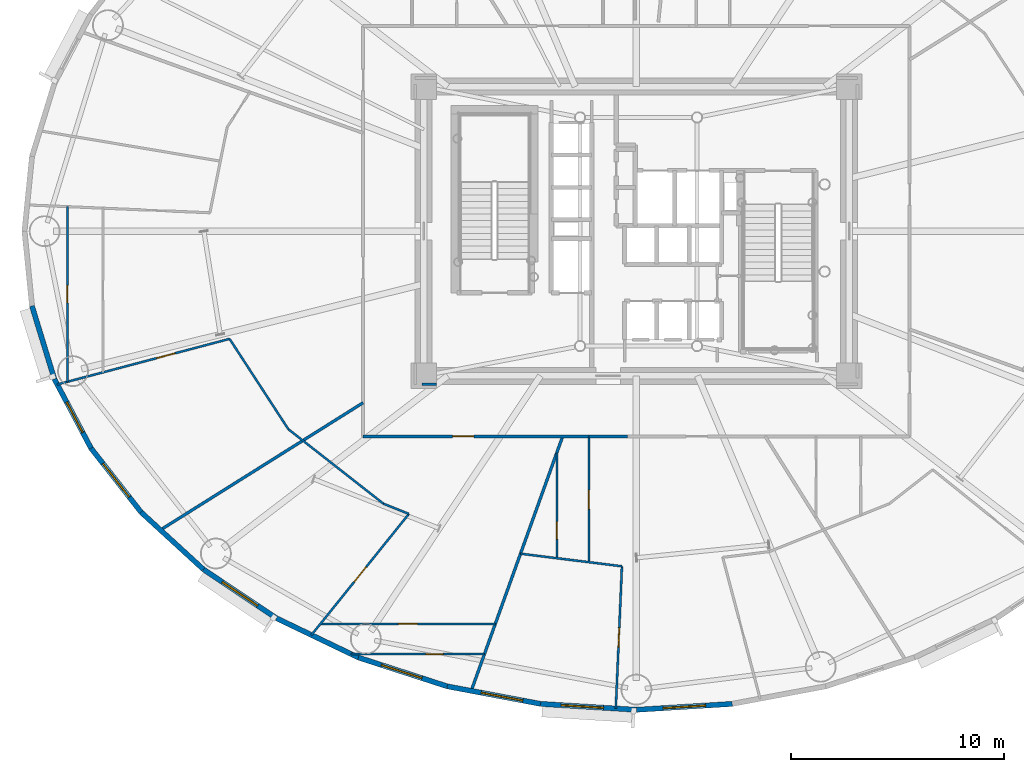
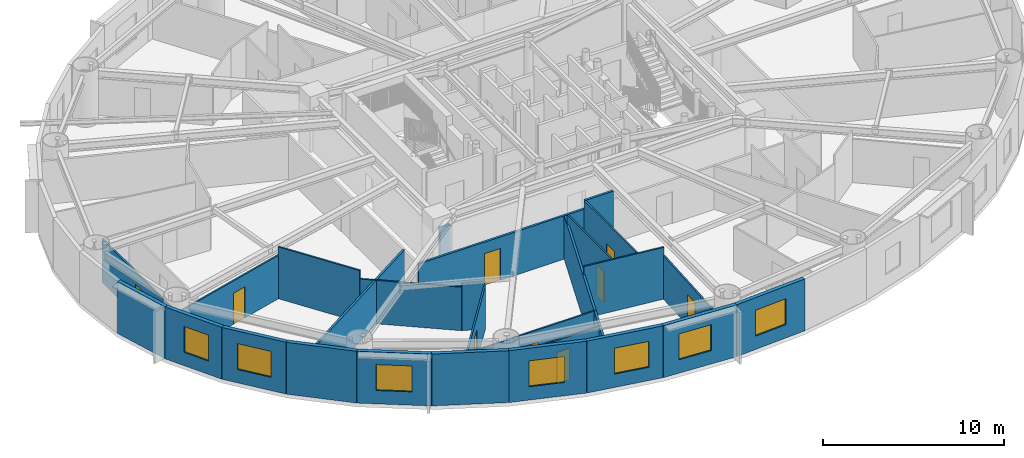
# One storey, part 10 of 21: 27 walls, 9 doors, 7 windows, 16 openings.
"""IFC4 building model written with IfcOpenShell, lengths in metres."""

from ifc_helpers import new_model, si_unit, direction, frame, frame_2d, origin, origin_2d, place, context, subcontext, project, spatial, rectangle, extrude, source, transform, mapped, material, layer, layer_set, type_object, element, fill, save


model = new_model("IFC4")

# Units and contexts
model_context = context("Model", 3, precision=1e-05, world=origin(), true_north=direction((0.0, 1.0)))
body_context = subcontext(model_context, "Body", "Model", "MODEL_VIEW")
ifc_project = project(units=[si_unit("LENGTHUNIT", "METRE"), si_unit("AREAUNIT", "SQUARE_METRE"), si_unit("VOLUMEUNIT", "CUBIC_METRE"), si_unit("PLANEANGLEUNIT", "RADIAN"), si_unit("MASSUNIT", "GRAM", prefix="KILO")], contexts=[model_context])

# Site, building, storey
site_placement = place(None, origin())
site = spatial("IfcSite", under=ifc_project, at=site_placement, CompositionType="ELEMENT")
building_placement = place(site_placement, origin())
building = spatial("IfcBuilding", under=site, at=building_placement, Name="Linh Dai School and Residence Tower", CompositionType="ELEMENT")
storey_placement = place(building_placement, frame((0.0, 0.0, 115.949951171875)))
storey = spatial("IfcBuildingStorey", under=building, at=storey_placement, Name="L27", CompositionType="ELEMENT", Elevation=115.949951171875)

# Wall
ifc_material_1 = material(Name="Precast Concrete B45 (C35/45)", Category="concrete")
ifc_layer_1 = layer(ifc_material_1, 0.239990234375)
ifc_layer_set_1 = layer_set([ifc_layer_1], Name="Precast Concrete B45 (C35/45)")
wall_type_1 = type_object("IfcWallType", Name="EW-TC-240", PredefinedType="SOLIDWALL", material=ifc_layer_set_1)
wall_1_placement = place(storey_placement, frame((8.6298828125, 20.054931640625, 0.0), z_axis=(0.0, 0.0, 1.0), x_axis=(-0.293124431344, 0.956074300329, 0.0)))
element("IfcWall", 1, at=wall_1_placement, inside=storey, type_object=wall_type_1, Name="L27 Terracotta Exterior Wall 22", PredefinedType="SOLIDWALL", context=body_context, shape_type="SweptSolid", body=[
    extrude(rectangle(XDim=3.587158203125, YDim=0.239990234375, at=frame_2d((1.79345703125, 0.0))), origin(), (0.0, 0.0, 1.0), 3.5),
])

# Wall, opening, window
wall_2_placement = place(storey_placement, frame((10.354736328125, 16.79443359375, 0.0), z_axis=(0.0, 0.0, 1.0), x_axis=(-0.467614004126, 0.883932770716, 0.0)))
wall_2 = element("IfcWall", 2, at=wall_2_placement, inside=storey, type_object=wall_type_1, Name="L27 Terracotta Exterior Wall 23", PredefinedType="SOLIDWALL", context=body_context, shape_type="SweptSolid", body=[
    extrude(rectangle(XDim=3.688720703125, YDim=0.239990234375, at=frame_2d((1.84423828125, 0.0))), origin(), (0.0, 0.0, 1.0), 3.5),
])
opening_1_placement = place(wall_2_placement, frame((0.845947265625, 0.0, 0.89990234375)))
opening_1 = element("IfcOpeningElement", 3, at=opening_1_placement, cuts=wall_2, Name="Opening W2", PredefinedType="OPENING", context=body_context, shape_type="SweptSolid", body=[
    extrude(rectangle(XDim=1.60009765625, YDim=1.75, at=origin_2d()), frame((0.800048828125, 0.1298828125, 0.875), z_axis=(0.0, -1.0, 0.0), x_axis=(1.0, 0.0, 0.0)), (0.0, 0.0, 1.0), 0.260009765625),
])
ifc_material_2 = material(Name="Double Low-E Insulated Glazing", Category="glass")
window_type_1 = type_object("IfcWindowType", Name="WN-RES-1600x1750", PartitioningType="DOUBLE_PANEL_VERTICAL", PredefinedType="WINDOW", material=ifc_material_2)
shared_shape_1 = source(origin(), body_context, "Body", "SweptSolid", [
    extrude(rectangle(XDim=1.60009765625, YDim=1.75, at=origin_2d()), frame((0.800048828125, 0.030029296875, 0.875), z_axis=(0.0, -1.0, 0.0), x_axis=(1.0, 0.0, 0.0)), (0.0, 0.0, 1.0), 0.06005859375),
])
window_1_placement = place(opening_1_placement, origin())
window_1 = element("IfcWindow", 4, at=window_1_placement, inside=storey, type_object=window_type_1, Name="L27 Exterior Window 23.1", OverallHeight=1.75, OverallWidth=1.60009765625, PartitioningType="DOUBLE_PANEL_VERTICAL", PredefinedType="WINDOW", context=body_context, shape_type="MappedRepresentation", body=[
    mapped(shared_shape_1, transform((0.0, 0.0, 0.0), x_axis=(1.0, 0.0, 0.0), y_axis=(0.0, 1.0, 0.0), z_axis=(0.0, 0.0, 1.0), scale=1.0)),
])
fill(opening_1, window_1)

wall_3_placement = place(storey_placement, frame((12.7109375, 13.783447265625, 0.0), z_axis=(0.0, 0.0, 1.0), x_axis=(-0.616272103517, 0.787533297345, 0.0)))
wall_3 = element("IfcWall", 5, at=wall_3_placement, inside=storey, type_object=wall_type_1, Name="L27 Terracotta Exterior Wall 24", PredefinedType="SOLIDWALL", context=body_context, shape_type="SweptSolid", body=[
    extrude(rectangle(XDim=3.8232421875, YDim=0.239990234375, at=frame_2d((1.91162109375, 0.0))), origin(), (0.0, 0.0, 1.0), 3.5),
])
opening_2_placement = place(wall_3_placement, frame((0.91162109375, 0.0, 0.89990234375)))
opening_2 = element("IfcOpeningElement", 6, at=opening_2_placement, cuts=wall_3, Name="Opening W1", PredefinedType="OPENING", context=body_context, shape_type="SweptSolid", body=[
    extrude(rectangle(XDim=2.0, YDim=1.75, at=origin_2d()), frame((1.0, 0.1298828125, 0.875), z_axis=(0.0, -1.0, 0.0), x_axis=(1.0, 0.0, 0.0)), (0.0, 0.0, 1.0), 0.260009765625),
])
window_type_2 = type_object("IfcWindowType", Name="WN-RES-2000x1750", PartitioningType="DOUBLE_PANEL_VERTICAL", PredefinedType="WINDOW", material=ifc_material_2)
shared_shape_2 = source(origin(), body_context, "Body", "SweptSolid", [
    extrude(rectangle(XDim=2.0, YDim=1.75, at=origin_2d()), frame((1.0, 0.030029296875, 0.875), z_axis=(0.0, -1.0, 0.0), x_axis=(1.0, 0.0, 0.0)), (0.0, 0.0, 1.0), 0.06005859375),
])
window_2_placement = place(opening_2_placement, origin())
window_2 = element("IfcWindow", 7, at=window_2_placement, inside=storey, type_object=window_type_2, Name="L27 Exterior Window 24.1", OverallHeight=1.75, OverallWidth=2.0, PartitioningType="DOUBLE_PANEL_VERTICAL", PredefinedType="WINDOW", context=body_context, shape_type="MappedRepresentation", body=[
    mapped(shared_shape_2, transform((0.0, 0.0, 0.0), x_axis=(1.0, 0.0, 0.0), y_axis=(0.0, 1.0, 0.0), z_axis=(0.0, 0.0, 1.0), scale=1.0)),
])
fill(opening_2, window_2)

# Wall
wall_4_placement = place(storey_placement, frame((15.6416015625, 11.0966796875, 0.0), z_axis=(0.0, 0.0, 1.0), x_axis=(-0.737113356241, 0.675769117414, 0.0)))
element("IfcWall", 8, at=wall_4_placement, inside=storey, type_object=wall_type_1, Name="L27 Terracotta Exterior Wall 25", PredefinedType="SOLIDWALL", context=body_context, shape_type="SweptSolid", body=[
    extrude(rectangle(XDim=3.975830078125, YDim=0.239990234375, at=frame_2d((1.98779296875, 0.0))), origin(), (0.0, 0.0, 1.0), 3.5),
])

# Wall, opening, window
wall_5_placement = place(storey_placement, frame((19.07470703125, 8.800537109375, 0.0), z_axis=(0.0, 0.0, 1.0), x_axis=(-0.831221811447, 0.555940914284, 0.0)))
wall_5 = element("IfcWall", 9, at=wall_5_placement, inside=storey, type_object=wall_type_1, Name="L27 Terracotta Exterior Wall 26", PredefinedType="SOLIDWALL", context=body_context, shape_type="SweptSolid", body=[
    extrude(rectangle(XDim=4.130126953125, YDim=0.239990234375, at=frame_2d((2.06494140625, 0.0))), origin(), (0.0, 0.0, 1.0), 3.5),
])
opening_3_placement = place(wall_5_placement, frame((1.06494140625, 0.0, 0.89990234375)))
opening_3 = element("IfcOpeningElement", 10, at=opening_3_placement, cuts=wall_5, Name="Opening W1", PredefinedType="OPENING", context=body_context, shape_type="SweptSolid", body=[
    extrude(rectangle(XDim=2.0, YDim=1.75, at=origin_2d()), frame((1.0, 0.1298828125, 0.875), z_axis=(0.0, -1.0, 0.0), x_axis=(1.0, 0.0, 0.0)), (0.0, 0.0, 1.0), 0.260009765625),
])
window_3_placement = place(opening_3_placement, origin())
window_3 = element("IfcWindow", 11, at=window_3_placement, inside=storey, type_object=window_type_2, Name="L27 Exterior Window 26.1", OverallHeight=1.75, OverallWidth=2.0, PartitioningType="DOUBLE_PANEL_VERTICAL", PredefinedType="WINDOW", context=body_context, shape_type="MappedRepresentation", body=[
    mapped(shared_shape_2, transform((0.0, 0.0, 0.0), x_axis=(1.0, 0.0, 0.0), y_axis=(0.0, 1.0, 0.0), z_axis=(0.0, 0.0, 1.0), scale=1.0)),
])
fill(opening_3, window_3)

# Wall
wall_6_placement = place(storey_placement, frame((22.926025390625, 6.95263671875, 0.0), z_axis=(0.0, 0.0, 1.0), x_axis=(-0.901589935876, 0.432591709962, 0.0)))
element("IfcWall", 12, at=wall_6_placement, inside=storey, type_object=wall_type_1, Name="L27 Terracotta Exterior Wall 27", PredefinedType="SOLIDWALL", context=body_context, shape_type="SweptSolid", body=[
    extrude(rectangle(XDim=4.271728515625, YDim=0.239990234375, at=frame_2d((2.1357421875, 0.0))), origin(), (0.0, 0.0, 1.0), 3.5),
])

# Wall, opening, window
wall_7_placement = place(storey_placement, frame((27.100341796875, 5.5986328125, 0.0), z_axis=(0.0, 0.0, 1.0), x_axis=(-0.951211346073, 0.308540070495, 0.0)))
wall_7 = element("IfcWall", 13, at=wall_7_placement, inside=storey, type_object=wall_type_1, Name="L27 Terracotta Exterior Wall 28", PredefinedType="SOLIDWALL", context=body_context, shape_type="SweptSolid", body=[
    extrude(rectangle(XDim=4.388427734375, YDim=0.239990234375, at=frame_2d((2.1943359375, 0.0))), origin(), (0.0, 0.0, 1.0), 3.5),
])
opening_4_placement = place(wall_7_placement, frame((1.248291015625, 0.0, 0.89990234375)))
opening_4 = element("IfcOpeningElement", 14, at=opening_4_placement, cuts=wall_7, Name="Opening W1", PredefinedType="OPENING", context=body_context, shape_type="SweptSolid", body=[
    extrude(rectangle(XDim=2.0, YDim=1.75, at=origin_2d()), frame((1.0, 0.1298828125, 0.875), z_axis=(0.0, -1.0, 0.0), x_axis=(1.0, 0.0, 0.0)), (0.0, 0.0, 1.0), 0.260009765625),
])
window_4_placement = place(opening_4_placement, origin())
window_4 = element("IfcWindow", 15, at=window_4_placement, inside=storey, type_object=window_type_2, Name="L27 Exterior Window 28.1", OverallHeight=1.75, OverallWidth=2.0, PartitioningType="DOUBLE_PANEL_VERTICAL", PredefinedType="WINDOW", context=body_context, shape_type="MappedRepresentation", body=[
    mapped(shared_shape_2, transform((0.0, 0.0, 0.0), x_axis=(1.0, 0.0, 0.0), y_axis=(0.0, 1.0, 0.0), z_axis=(0.0, 0.0, 1.0), scale=1.0)),
])
fill(opening_4, window_4)

wall_8_placement = place(storey_placement, frame((31.494384765625, 4.772705078125, 0.0), z_axis=(0.0, 0.0, 1.0), x_axis=(-0.982789252177, 0.184730305596, 0.0)))
wall_8 = element("IfcWall", 16, at=wall_8_placement, inside=storey, type_object=wall_type_1, Name="L27 Terracotta Exterior Wall 29", PredefinedType="SOLIDWALL", context=body_context, shape_type="SweptSolid", body=[
    extrude(rectangle(XDim=4.470947265625, YDim=0.239990234375, at=frame_2d((2.2353515625, 0.0))), origin(), (0.0, 0.0, 1.0), 3.5),
])
opening_5_placement = place(wall_8_placement, frame((0.843017578125, 0.0, 0.89990234375)))
opening_5 = element("IfcOpeningElement", 17, at=opening_5_placement, cuts=wall_8, Name="Opening W1", PredefinedType="OPENING", context=body_context, shape_type="SweptSolid", body=[
    extrude(rectangle(XDim=2.0, YDim=1.75, at=origin_2d()), frame((1.0, 0.1298828125, 0.875), z_axis=(0.0, -1.0, 0.0), x_axis=(1.0, 0.0, 0.0)), (0.0, 0.0, 1.0), 0.260009765625),
])
window_5_placement = place(opening_5_placement, origin())
window_5 = element("IfcWindow", 18, at=window_5_placement, inside=storey, type_object=window_type_2, Name="L27 Exterior Window 29.1", OverallHeight=1.75, OverallWidth=2.0, PartitioningType="DOUBLE_PANEL_VERTICAL", PredefinedType="WINDOW", context=body_context, shape_type="MappedRepresentation", body=[
    mapped(shared_shape_2, transform((0.0, 0.0, 0.0), x_axis=(1.0, 0.0, 0.0), y_axis=(0.0, 1.0, 0.0), z_axis=(0.0, 0.0, 1.0), scale=1.0)),
])
fill(opening_5, window_5)

wall_9_placement = place(storey_placement, frame((36.0, 4.4951171875, 0.0), z_axis=(0.0, 0.0, 1.0), x_axis=(-0.998107531589, 0.061492726276, 0.0)))
wall_9 = element("IfcWall", 19, at=wall_9_placement, inside=storey, type_object=wall_type_1, Name="L27 Terracotta Exterior Wall 30", PredefinedType="SOLIDWALL", context=body_context, shape_type="SweptSolid", body=[
    extrude(rectangle(XDim=4.51416015625, YDim=0.239990234375, at=frame_2d((2.257080078125, 0.0))), origin(), (0.0, 0.0, 1.0), 3.5),
])
opening_6_placement = place(wall_9_placement, frame((1.549560546875, 0.0, 0.89990234375)))
opening_6 = element("IfcOpeningElement", 20, at=opening_6_placement, cuts=wall_9, Name="Opening W1", PredefinedType="OPENING", context=body_context, shape_type="SweptSolid", body=[
    extrude(rectangle(XDim=2.0, YDim=1.75, at=origin_2d()), frame((1.0, 0.1298828125, 0.875), z_axis=(0.0, -1.0, 0.0), x_axis=(1.0, 0.0, 0.0)), (0.0, 0.0, 1.0), 0.260009765625),
])
window_6_placement = place(opening_6_placement, origin())
window_6 = element("IfcWindow", 21, at=window_6_placement, inside=storey, type_object=window_type_2, Name="L27 Exterior Window 30.1", OverallHeight=1.75, OverallWidth=2.0, PartitioningType="DOUBLE_PANEL_VERTICAL", PredefinedType="WINDOW", context=body_context, shape_type="MappedRepresentation", body=[
    mapped(shared_shape_2, transform((0.0, 0.0, 0.0), x_axis=(1.0, 0.0, 0.0), y_axis=(0.0, 1.0, 0.0), z_axis=(0.0, 0.0, 1.0), scale=1.0)),
])
fill(opening_6, window_6)

wall_10_placement = place(storey_placement, frame((40.505615234375, 4.772705078125, 0.0), z_axis=(0.0, 0.0, 1.0), x_axis=(-0.998107531589, -0.061492726276, 0.0)))
wall_10 = element("IfcWall", 22, at=wall_10_placement, inside=storey, type_object=wall_type_1, Name="L27 Terracotta Exterior Wall 31", PredefinedType="SOLIDWALL", context=body_context, shape_type="SweptSolid", body=[
    extrude(rectangle(XDim=4.51416015625, YDim=0.239990234375, at=frame_2d((2.257080078125, 0.0))), origin(), (0.0, 0.0, 1.0), 3.5),
])
opening_7_placement = place(wall_10_placement, frame((1.257080078125, 0.0, 0.89990234375)))
opening_7 = element("IfcOpeningElement", 23, at=opening_7_placement, cuts=wall_10, Name="Opening W1", PredefinedType="OPENING", context=body_context, shape_type="SweptSolid", body=[
    extrude(rectangle(XDim=2.0, YDim=1.75, at=origin_2d()), frame((1.0, 0.1298828125, 0.875), z_axis=(0.0, -1.0, 0.0), x_axis=(1.0, 0.0, 0.0)), (0.0, 0.0, 1.0), 0.260009765625),
])
window_7_placement = place(opening_7_placement, origin())
window_7 = element("IfcWindow", 24, at=window_7_placement, inside=storey, type_object=window_type_2, Name="L27 Exterior Window 31.1", OverallHeight=1.75, OverallWidth=2.0, PartitioningType="DOUBLE_PANEL_VERTICAL", PredefinedType="WINDOW", context=body_context, shape_type="MappedRepresentation", body=[
    mapped(shared_shape_2, transform((0.0, 0.0, 0.0), x_axis=(1.0, 0.0, 0.0), y_axis=(0.0, 1.0, 0.0), z_axis=(0.0, 0.0, 1.0), scale=1.0)),
])
fill(opening_7, window_7)

# Wall
ifc_material_3 = material(Name="Autoclaved Aerated Concrete Blockwork", Category="masonry")
ifc_layer_2 = layer(ifc_material_3, 0.135009765625)
ifc_layer_set_2 = layer_set([ifc_layer_2], Name="Autoclaved Aerated Concrete Blockwork")
wall_type_2 = type_object("IfcWallType", Name="IW-CORR-135-EI90", PredefinedType="PARTITIONING", material=ifc_layer_set_2)
wall_11_placement = place(storey_placement, frame((13.61474609375, 12.9482421875, 0.0), z_axis=(0.0, 0.0, 1.0), x_axis=(0.846963568038, 0.531650932866, 0.0)))
element("IfcWall", 25, at=wall_11_placement, inside=storey, type_object=wall_type_2, Name="L27 Interior Partition Wall 007", PredefinedType="PARTITIONING", context=body_context, shape_type="SweptSolid", body=[
    extrude(rectangle(XDim=11.258056640625, YDim=0.135009765625, at=frame_2d((5.62890625, 0.0))), origin(), (0.0, 0.0, 1.0), 2.93505859375),
])

# Wall, opening, door
wall_12_placement = place(storey_placement, frame((23.14990234375, 17.35009765625, 0.0), z_axis=(0.0, 0.0, 1.0), x_axis=(1.0, 0.0, 0.0)))
wall_12 = element("IfcWall", 26, at=wall_12_placement, inside=storey, type_object=wall_type_2, Name="L27 Interior Partition Wall 018", PredefinedType="PARTITIONING", context=body_context, shape_type="SweptSolid", body=[
    extrude(rectangle(XDim=10.618896484375, YDim=0.135009765625, at=frame_2d((5.3095703125, 0.0))), origin(), (0.0, 0.0, 1.0), 2.93505859375),
])
opening_8_placement = place(wall_12_placement, frame((4.211181640625, 0.0, 0.0)))
opening_8 = element("IfcOpeningElement", 27, at=opening_8_placement, cuts=wall_12, Name="Opening D03", PredefinedType="OPENING", context=body_context, shape_type="SweptSolid", body=[
    extrude(rectangle(XDim=1.0, YDim=2.14990234375, at=origin_2d()), frame((0.5, 0.07763671875, 1.074951171875), z_axis=(0.0, -1.0, 0.0), x_axis=(1.0, 0.0, 0.0)), (0.0, 0.0, 1.0), 0.155029296875),
])
ifc_material_4 = material(Name="Fire-Rated Solid Timber Entrance Door", Category="wood")
door_type_1 = type_object("IfcDoorType", Name="DR-FLAT-1000x2150-FD60S", OperationType="NOTDEFINED", PredefinedType="DOOR", material=ifc_material_4)
shared_shape_3 = source(origin(), body_context, "Body", "SweptSolid", [
    extrude(rectangle(XDim=1.0, YDim=2.14990234375, at=origin_2d()), frame((0.5, 0.02490234375, 1.074951171875), z_axis=(0.0, -1.0, 0.0), x_axis=(1.0, 0.0, 0.0)), (0.0, 0.0, 1.0), 0.050048828125),
])
door_1_placement = place(opening_8_placement, origin())
door_1 = element("IfcDoor", 28, at=door_1_placement, inside=storey, type_object=door_type_1, Name="L27 U2704 Apartment Entrance Door", OperationType="SINGLE_SWING_RIGHT", OverallHeight=2.14990234375, OverallWidth=1.0, PredefinedType="DOOR", context=body_context, shape_type="MappedRepresentation", body=[
    mapped(shared_shape_3, transform((0.0, 0.0, 0.0), x_axis=(1.0, 0.0, 0.0), y_axis=(0.0, 1.0, 0.0), z_axis=(0.0, 0.0, 1.0), scale=1.0)),
])
fill(opening_8, door_1)

# Walls
wall_13_placement = place(storey_placement, frame((28.231689453125, 5.380859375, 0.0), z_axis=(0.0, 0.0, 1.0), x_axis=(0.338158615332, 0.941089130145, 0.0)))
element("IfcWall", 29, at=wall_13_placement, inside=storey, type_object=wall_type_2, Name="L27 Interior Partition Wall 026", PredefinedType="PARTITIONING", context=body_context, shape_type="SweptSolid", body=[
    extrude(rectangle(XDim=12.71826171875, YDim=0.135009765625, at=frame_2d((6.359130859375, 0.0))), origin(), (0.0, 0.0, 1.0), 2.93505859375),
])
wall_14_placement = place(storey_placement, frame((35.57373046875, 17.35009765625, 0.0), z_axis=(0.0, 0.0, 1.0), x_axis=(-1.0, 0.0, 0.0)))
element("IfcWall", 30, at=wall_14_placement, inside=storey, type_object=wall_type_2, Name="L27 Interior Partition Wall 110", PredefinedType="PARTITIONING", context=body_context, shape_type="SweptSolid", body=[
    extrude(rectangle(XDim=1.794921875, YDim=0.135009765625, at=frame_2d((0.8974609375, 0.0))), origin(), (0.0, 0.0, 1.0), 3.5),
])
wall_15_placement = place(storey_placement, frame((25.907470703125, 19.800048828125, 0.0), z_axis=(0.0, 0.0, 1.0), x_axis=(1.0, 0.0, 0.0)))
element("IfcWall", 31, at=wall_15_placement, inside=storey, type_object=wall_type_2, Name="L27 Interior Partition Wall 115", PredefinedType="PARTITIONING", context=body_context, shape_type="SweptSolid", body=[
    extrude(rectangle(XDim=0.6826171875, YDim=0.135009765625, at=frame_2d((0.34130859375, 0.0))), origin(), (0.0, 0.0, 1.0), 2.93505859375),
])

# Wall, opening, door
ifc_material_5 = material(Name="Gypsum Plasterboard Acoustic Stud Partition", Category="masonry")
ifc_layer_3 = layer(ifc_material_5, 0.10009765625)
ifc_layer_set_3 = layer_set([ifc_layer_3], Name="Gypsum Plasterboard Acoustic Stud Partition")
wall_type_3 = type_object("IfcWallType", Name="IW-UNIT-100", PredefinedType="PARTITIONING", material=ifc_layer_set_3)
wall_16_placement = place(storey_placement, frame((8.763427734375, 19.791748046875, 0.0), z_axis=(0.0, 0.0, 1.0), x_axis=(0.96671793708, 0.255844542893, 0.0)))
wall_16 = element("IfcWall", 32, at=wall_16_placement, inside=storey, type_object=wall_type_3, Name="L27 Interior Partition Wall 003", PredefinedType="PARTITIONING", context=body_context, shape_type="SweptSolid", body=[
    extrude(rectangle(XDim=8.385009765625, YDim=0.10009765625, at=frame_2d((4.1923828125, 0.0))), origin(), (0.0, 0.0, 1.0), 2.93505859375),
])
opening_9_placement = place(wall_16_placement, frame((4.835205078125, 0.0, 0.0)))
opening_9 = element("IfcOpeningElement", 33, at=opening_9_placement, cuts=wall_16, Name="Opening D05", PredefinedType="OPENING", context=body_context, shape_type="SweptSolid", body=[
    extrude(rectangle(XDim=0.89990234375, YDim=2.10009765625, at=origin_2d()), frame((0.449951171875, 0.06005859375, 1.050048828125), z_axis=(0.0, -1.0, 0.0), x_axis=(1.0, 0.0, 0.0)), (0.0, 0.0, 1.0), 0.1201171875),
])
ifc_material_6 = material(Name="Engineered Timber Internal Door", Category="wood")
door_type_2 = type_object("IfcDoorType", Name="DR-INT-900x2100", OperationType="NOTDEFINED", PredefinedType="DOOR", material=ifc_material_6)
shared_shape_4 = source(origin(), body_context, "Body", "SweptSolid", [
    extrude(rectangle(XDim=0.89990234375, YDim=2.10009765625, at=origin_2d()), frame((0.449951171875, 0.02490234375, 1.050048828125), z_axis=(0.0, -1.0, 0.0), x_axis=(1.0, 0.0, 0.0)), (0.0, 0.0, 1.0), 0.050048828125),
])
door_2_placement = place(opening_9_placement, origin())
door_2 = element("IfcDoor", 34, at=door_2_placement, inside=storey, type_object=door_type_2, Name="L27 Apartment U2703 Principal Bedroom 2 Door", OperationType="SINGLE_SWING_LEFT", OverallHeight=2.10009765625, OverallWidth=0.89990234375, PredefinedType="DOOR", context=body_context, shape_type="MappedRepresentation", body=[
    mapped(shared_shape_4, transform((0.0, 0.0, 0.0), x_axis=(1.0, 0.0, 0.0), y_axis=(0.0, 1.0, 0.0), z_axis=(0.0, 0.0, 1.0), scale=1.0)),
])
fill(opening_9, door_2)

wall_17_placement = place(storey_placement, frame((9.24609375, 19.91943359375, 0.0), z_axis=(0.0, 0.0, 1.0), x_axis=(0.0, 1.0, 0.0)))
wall_17 = element("IfcWall", 35, at=wall_17_placement, inside=storey, type_object=wall_type_3, Name="L27 Interior Partition Wall 004", PredefinedType="PARTITIONING", context=body_context, shape_type="SweptSolid", body=[
    extrude(rectangle(XDim=8.23486328125, YDim=0.10009765625, at=frame_2d((4.117431640625, 0.0))), origin(), (0.0, 0.0, 1.0), 2.93505859375),
])
opening_10_placement = place(wall_17_placement, frame((3.70751953125, 0.0, 0.0)))
opening_10 = element("IfcOpeningElement", 36, at=opening_10_placement, cuts=wall_17, Name="Opening D06", PredefinedType="OPENING", context=body_context, shape_type="SweptSolid", body=[
    extrude(rectangle(XDim=0.820068359375, YDim=2.10009765625, at=origin_2d()), frame((0.41015625, 0.06005859375, 1.050048828125), z_axis=(0.0, -1.0, 0.0), x_axis=(1.0, 0.0, 0.0)), (0.0, 0.0, 1.0), 0.1201171875),
])
ifc_material_7 = material(Name="Moisture-Resistant Timber Bathroom Door", Category="wood")
door_type_3 = type_object("IfcDoorType", Name="DR-WET-820x2100", OperationType="NOTDEFINED", PredefinedType="DOOR", material=ifc_material_7)
shared_shape_5 = source(origin(), body_context, "Body", "SweptSolid", [
    extrude(rectangle(XDim=0.820068359375, YDim=2.10009765625, at=origin_2d()), frame((0.41015625, 0.02490234375, 1.050048828125), z_axis=(0.0, -1.0, 0.0), x_axis=(1.0, 0.0, 0.0)), (0.0, 0.0, 1.0), 0.050048828125),
])
door_3_placement = place(opening_10_placement, origin())
door_3 = element("IfcDoor", 37, at=door_3_placement, inside=storey, type_object=door_type_3, Name="L27 Apartment U2703 Bathroom 1 Door", OperationType="SINGLE_SWING_LEFT", OverallHeight=2.10009765625, OverallWidth=0.820068359375, PredefinedType="DOOR", context=body_context, shape_type="MappedRepresentation", body=[
    mapped(shared_shape_5, transform((0.0, 0.0, 0.0), x_axis=(1.0, 0.0, 0.0), y_axis=(0.0, 1.0, 0.0), z_axis=(0.0, 0.0, 1.0), scale=1.0)),
])
fill(opening_10, door_3)

# Walls
wall_18_placement = place(storey_placement, frame((16.869384765625, 21.93701171875, 0.0), z_axis=(0.0, 0.0, 1.0), x_axis=(0.545394651961, -0.838179380331, 0.0)))
element("IfcWall", 38, at=wall_18_placement, inside=storey, type_object=wall_type_3, Name="L27 Interior Partition Wall 011", PredefinedType="PARTITIONING", context=body_context, shape_type="SweptSolid", body=[
    extrude(rectangle(XDim=5.068115234375, YDim=0.10009765625, at=frame_2d((2.5341796875, 0.0))), origin(), (0.0, 0.0, 1.0), 3.5),
])
wall_19_placement = place(storey_placement, frame((19.633544921875, 17.68896484375, 0.0), z_axis=(0.0, 0.0, 1.0), x_axis=(0.787333679705, -0.616527109544, 0.0)))
element("IfcWall", 39, at=wall_19_placement, inside=storey, type_object=wall_type_3, Name="L27 Interior Partition Wall 012", PredefinedType="PARTITIONING", context=body_context, shape_type="SweptSolid", body=[
    extrude(rectangle(XDim=5.6845703125, YDim=0.10009765625, at=frame_2d((2.84228515625, 0.0))), origin(), (0.0, 0.0, 1.0), 2.93505859375),
])

# Wall, opening, door
wall_20_placement = place(storey_placement, frame((20.716552734375, 8.00732421875, 0.0), z_axis=(0.0, 0.0, 1.0), x_axis=(0.626926430663, 0.779078462375, 0.0)))
wall_20 = element("IfcWall", 40, at=wall_20_placement, inside=storey, type_object=wall_type_3, Name="L27 Interior Partition Wall 013", PredefinedType="PARTITIONING", context=body_context, shape_type="SweptSolid", body=[
    extrude(rectangle(XDim=7.31689453125, YDim=0.10009765625, at=frame_2d((3.658447265625, 0.0))), origin(), (0.0, 0.0, 1.0), 2.93505859375),
])
opening_11_placement = place(wall_20_placement, frame((3.20849609375, 0.0, 0.0)))
opening_11 = element("IfcOpeningElement", 41, at=opening_11_placement, cuts=wall_20, Name="Opening D05", PredefinedType="OPENING", context=body_context, shape_type="SweptSolid", body=[
    extrude(rectangle(XDim=0.89990234375, YDim=2.10009765625, at=origin_2d()), frame((0.449951171875, 0.06005859375, 1.050048828125), z_axis=(0.0, -1.0, 0.0), x_axis=(1.0, 0.0, 0.0)), (0.0, 0.0, 1.0), 0.1201171875),
])
door_4_placement = place(opening_11_placement, origin())
door_4 = element("IfcDoor", 42, at=door_4_placement, inside=storey, type_object=door_type_2, Name="L27 Apartment U2704 Principal Bedroom 1 Door", OperationType="SINGLE_SWING_LEFT", OverallHeight=2.10009765625, OverallWidth=0.89990234375, PredefinedType="DOOR", context=body_context, shape_type="MappedRepresentation", body=[
    mapped(shared_shape_4, transform((0.0, 0.0, 0.0), x_axis=(1.0, 0.0, 0.0), y_axis=(0.0, 1.0, 0.0), z_axis=(0.0, 0.0, 1.0), scale=1.0)),
])
fill(opening_11, door_4)

wall_21_placement = place(storey_placement, frame((21.140625, 8.5341796875, 0.0), z_axis=(0.0, 0.0, 1.0), x_axis=(1.0, 0.0, 0.0)))
wall_21 = element("IfcWall", 43, at=wall_21_placement, inside=storey, type_object=wall_type_3, Name="L27 Interior Partition Wall 014", PredefinedType="PARTITIONING", context=body_context, shape_type="SweptSolid", body=[
    extrude(rectangle(XDim=8.22412109375, YDim=0.10009765625, at=frame_2d((4.112060546875, 0.0))), origin(), (0.0, 0.0, 1.0), 2.93505859375),
])
opening_12_placement = place(wall_21_placement, frame((3.662109375, 0.0, 0.0)))
opening_12 = element("IfcOpeningElement", 44, at=opening_12_placement, cuts=wall_21, Name="Opening D05", PredefinedType="OPENING", context=body_context, shape_type="SweptSolid", body=[
    extrude(rectangle(XDim=0.89990234375, YDim=2.10009765625, at=origin_2d()), frame((0.449951171875, 0.06005859375, 1.050048828125), z_axis=(0.0, -1.0, 0.0), x_axis=(1.0, 0.0, 0.0)), (0.0, 0.0, 1.0), 0.1201171875),
])
door_5_placement = place(opening_12_placement, origin())
door_5 = element("IfcDoor", 45, at=door_5_placement, inside=storey, type_object=door_type_2, Name="L27 Apartment U2704 Kitchen Door", OperationType="SINGLE_SWING_RIGHT", OverallHeight=2.10009765625, OverallWidth=0.89990234375, PredefinedType="DOOR", context=body_context, shape_type="MappedRepresentation", body=[
    mapped(shared_shape_4, transform((0.0, 0.0, 0.0), x_axis=(1.0, 0.0, 0.0), y_axis=(0.0, 1.0, 0.0), z_axis=(0.0, 0.0, 1.0), scale=1.0)),
])
fill(opening_12, door_5)

wall_22_placement = place(storey_placement, frame((22.57373046875, 7.1162109375, 0.0), z_axis=(0.0, 0.0, 1.0), x_axis=(1.0, 0.0, 0.0)))
wall_22 = element("IfcWall", 46, at=wall_22_placement, inside=storey, type_object=wall_type_3, Name="L27 Interior Partition Wall 016", PredefinedType="PARTITIONING", context=body_context, shape_type="SweptSolid", body=[
    extrude(rectangle(XDim=6.281494140625, YDim=0.10009765625, at=frame_2d((3.140625, 0.0))), origin(), (0.0, 0.0, 1.0), 2.93505859375),
])
opening_13_placement = place(wall_22_placement, frame((3.513916015625, 0.0, 0.0)))
opening_13 = element("IfcOpeningElement", 47, at=opening_13_placement, cuts=wall_22, Name="Opening D06", PredefinedType="OPENING", context=body_context, shape_type="SweptSolid", body=[
    extrude(rectangle(XDim=0.820068359375, YDim=2.10009765625, at=origin_2d()), frame((0.41015625, 0.06005859375, 1.050048828125), z_axis=(0.0, -1.0, 0.0), x_axis=(1.0, 0.0, 0.0)), (0.0, 0.0, 1.0), 0.1201171875),
])
door_6_placement = place(opening_13_placement, origin())
door_6 = element("IfcDoor", 48, at=door_6_placement, inside=storey, type_object=door_type_3, Name="L27 Apartment U2704 Bathroom 1 Door", OperationType="SINGLE_SWING_LEFT", OverallHeight=2.10009765625, OverallWidth=0.820068359375, PredefinedType="DOOR", context=body_context, shape_type="MappedRepresentation", body=[
    mapped(shared_shape_5, transform((0.0, 0.0, 0.0), x_axis=(1.0, 0.0, 0.0), y_axis=(0.0, 1.0, 0.0), z_axis=(0.0, 0.0, 1.0), scale=1.0)),
])
fill(opening_13, door_6)

# Walls
wall_23_placement = place(storey_placement, frame((24.109130859375, 14.184326171875, 0.0), z_axis=(0.0, 0.0, 1.0), x_axis=(0.928816677888, -0.370539578017, 0.0)))
element("IfcWall", 49, at=wall_23_placement, inside=storey, type_object=wall_type_3, Name="L27 Interior Partition Wall 021", PredefinedType="PARTITIONING", context=body_context, shape_type="SweptSolid", body=[
    extrude(rectangle(XDim=1.2861328125, YDim=0.10009765625, at=frame_2d((0.64306640625, 0.0))), origin(), (0.0, 0.0, 1.0), 3.18505859375),
])
wall_24_placement = place(storey_placement, frame((30.55078125, 11.834716796875, 0.0), z_axis=(0.0, 0.0, 1.0), x_axis=(0.992401646286, -0.123040531728, 0.0)))
element("IfcWall", 50, at=wall_24_placement, inside=storey, type_object=wall_type_3, Name="L27 Interior Partition Wall 027", PredefinedType="PARTITIONING", context=body_context, shape_type="SweptSolid", body=[
    extrude(rectangle(XDim=4.805908203125, YDim=0.10009765625, at=frame_2d((2.40283203125, 0.0))), origin(), (0.0, 0.0, 1.0), 3.5),
])

# Wall, opening, door
wall_25_placement = place(storey_placement, frame((32.262451171875, 11.62255859375, 0.0), z_axis=(0.0, 0.0, 1.0), x_axis=(0.0, 1.0, 0.0)))
wall_25 = element("IfcWall", 51, at=wall_25_placement, inside=storey, type_object=wall_type_3, Name="L27 Interior Partition Wall 036", PredefinedType="PARTITIONING", context=body_context, shape_type="SweptSolid", body=[
    extrude(rectangle(XDim=4.955078125, YDim=0.10009765625, at=frame_2d((2.4775390625, 0.0))), origin(), (0.0, 0.0, 1.0), 3.5),
])
opening_14_placement = place(wall_25_placement, frame((0.89892578125, 0.0, 0.0)))
opening_14 = element("IfcOpeningElement", 52, at=opening_14_placement, cuts=wall_25, Name="Opening D06", PredefinedType="OPENING", context=body_context, shape_type="SweptSolid", body=[
    extrude(rectangle(XDim=0.820068359375, YDim=2.10009765625, at=origin_2d()), frame((0.41015625, 0.06005859375, 1.050048828125), z_axis=(0.0, -1.0, 0.0), x_axis=(1.0, 0.0, 0.0)), (0.0, 0.0, 1.0), 0.1201171875),
])
door_7_placement = place(opening_14_placement, origin())
door_7 = element("IfcDoor", 53, at=door_7_placement, inside=storey, type_object=door_type_3, Name="L27 Apartment U2705 Bathroom 1 Door", OperationType="SINGLE_SWING_RIGHT", OverallHeight=2.10009765625, OverallWidth=0.820068359375, PredefinedType="DOOR", context=body_context, shape_type="MappedRepresentation", body=[
    mapped(shared_shape_5, transform((0.0, 0.0, 0.0), x_axis=(1.0, 0.0, 0.0), y_axis=(0.0, 1.0, 0.0), z_axis=(0.0, 0.0, 1.0), scale=1.0)),
])
fill(opening_14, door_7)

wall_26_placement = place(storey_placement, frame((33.768798828125, 11.435791015625, 0.0), z_axis=(0.0, 0.0, 1.0), x_axis=(0.0, 1.0, 0.0)))
wall_26 = element("IfcWall", 54, at=wall_26_placement, inside=storey, type_object=wall_type_3, Name="L27 Interior Partition Wall 038", PredefinedType="PARTITIONING", context=body_context, shape_type="SweptSolid", body=[
    extrude(rectangle(XDim=5.8837890625, YDim=0.10009765625, at=frame_2d((2.94189453125, 0.0))), origin(), (0.0, 0.0, 1.0), 3.5),
])
opening_15_placement = place(wall_26_placement, frame((2.491943359375, 0.0, 0.0)))
opening_15 = element("IfcOpeningElement", 55, at=opening_15_placement, cuts=wall_26, Name="Opening D05", PredefinedType="OPENING", context=body_context, shape_type="SweptSolid", body=[
    extrude(rectangle(XDim=0.89990234375, YDim=2.10009765625, at=origin_2d()), frame((0.449951171875, 0.06005859375, 1.050048828125), z_axis=(0.0, -1.0, 0.0), x_axis=(1.0, 0.0, 0.0)), (0.0, 0.0, 1.0), 0.1201171875),
])
door_8_placement = place(opening_15_placement, origin())
door_8 = element("IfcDoor", 56, at=door_8_placement, inside=storey, type_object=door_type_2, Name="L27 Apartment U2705 Kitchen Door", OperationType="SINGLE_SWING_LEFT", OverallHeight=2.10009765625, OverallWidth=0.89990234375, PredefinedType="DOOR", context=body_context, shape_type="MappedRepresentation", body=[
    mapped(shared_shape_4, transform((0.0, 0.0, 0.0), x_axis=(1.0, 0.0, 0.0), y_axis=(0.0, 1.0, 0.0), z_axis=(0.0, 0.0, 1.0), scale=1.0)),
])
fill(opening_15, door_8)

wall_27_placement = place(storey_placement, frame((35.03125, 4.5498046875, 0.0), z_axis=(0.0, 0.0, 1.0), x_axis=(0.043108301027, 0.999070405118, 0.0)))
wall_27 = element("IfcWall", 57, at=wall_27_placement, inside=storey, type_object=wall_type_3, Name="L27 Interior Partition Wall 041", PredefinedType="PARTITIONING", context=body_context, shape_type="SweptSolid", body=[
    extrude(rectangle(XDim=6.699951171875, YDim=0.10009765625, at=frame_2d((3.35009765625, 0.0))), origin(), (0.0, 0.0, 1.0), 2.93505859375),
])
opening_16_placement = place(wall_27_placement, frame((2.89990234375, 0.0, 0.0)))
opening_16 = element("IfcOpeningElement", 58, at=opening_16_placement, cuts=wall_27, Name="Opening D05", PredefinedType="OPENING", context=body_context, shape_type="SweptSolid", body=[
    extrude(rectangle(XDim=0.89990234375, YDim=2.10009765625, at=origin_2d()), frame((0.449951171875, 0.06005859375, 1.050048828125), z_axis=(0.0, -1.0, 0.0), x_axis=(1.0, 0.0, 0.0)), (0.0, 0.0, 1.0), 0.1201171875),
])
door_9_placement = place(opening_16_placement, origin())
door_9 = element("IfcDoor", 59, at=door_9_placement, inside=storey, type_object=door_type_2, Name="L27 Apartment U2705 Principal Bedroom 1 Door", OperationType="SINGLE_SWING_LEFT", OverallHeight=2.10009765625, OverallWidth=0.89990234375, PredefinedType="DOOR", context=body_context, shape_type="MappedRepresentation", body=[
    mapped(shared_shape_4, transform((0.0, 0.0, 0.0), x_axis=(1.0, 0.0, 0.0), y_axis=(0.0, 1.0, 0.0), z_axis=(0.0, 0.0, 1.0), scale=1.0)),
])
fill(opening_16, door_9)

save(model, "model.ifc")
